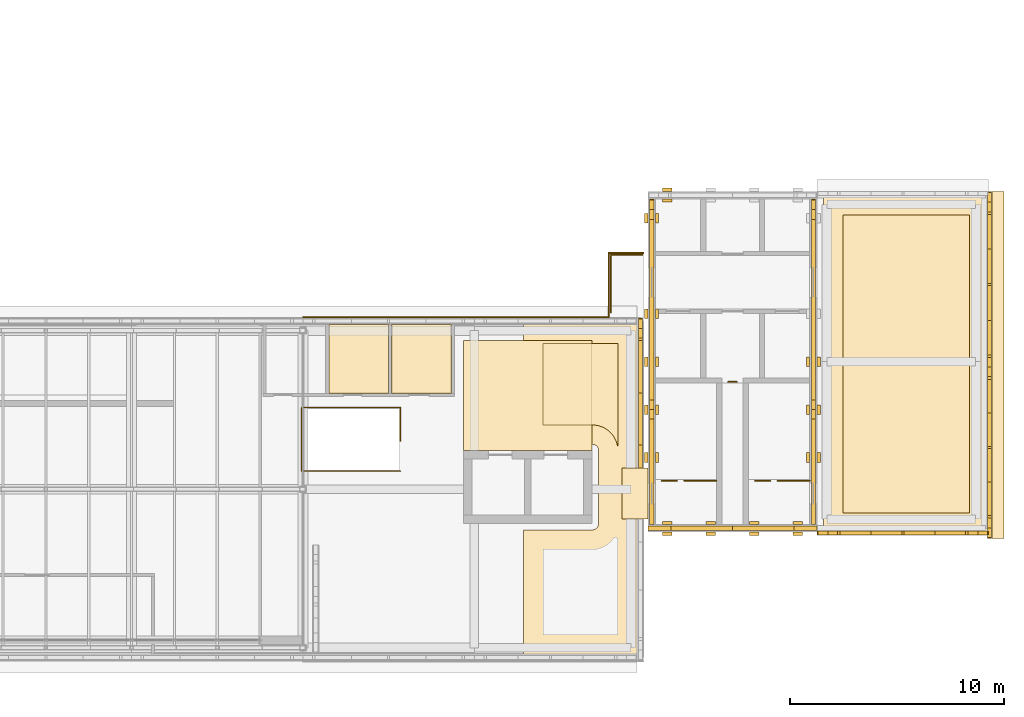
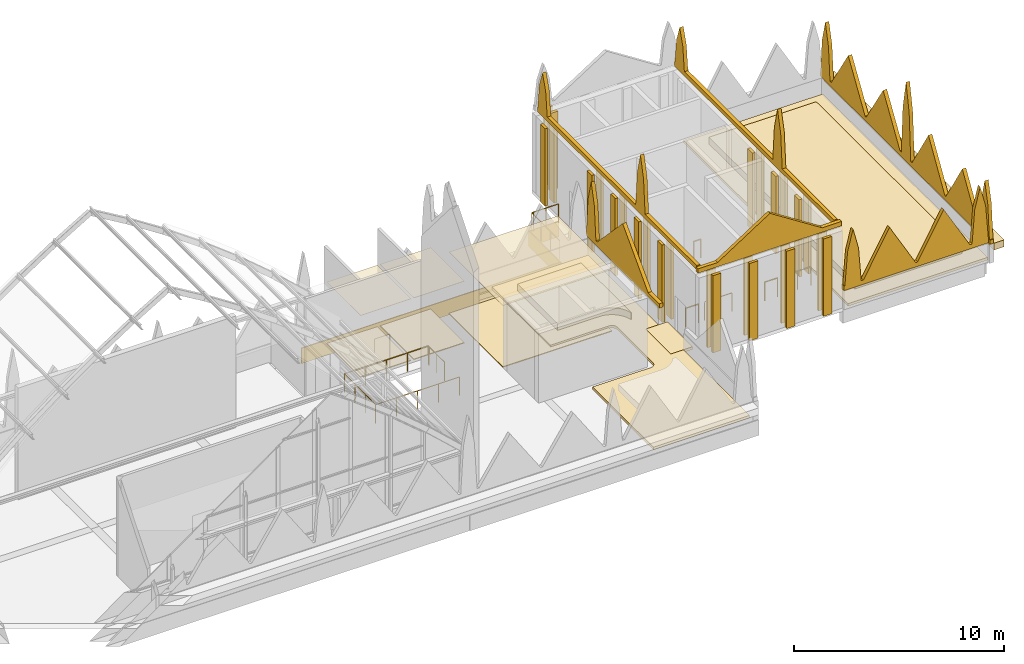
# One storey, part 17 of 18: 47 coverings, 8 railings.
"""IFC4 building model written with IfcOpenShell, lengths in metres."""

from ifc_helpers import new_model, si_unit, direction, frame, frame_2d, origin, origin_2d, place, context, subcontext, project, spatial, polyline, rectangle, circle, outline, extrude, material, layer, layer_set, type_object, element, save


model = new_model("IFC4")

# Units and contexts
model_context = context("Model", 3, precision=1e-05, world=origin(), true_north=direction((0.0, 1.0)))
body_context = subcontext(model_context, "Body", "Model", "MODEL_VIEW")
ifc_project = project(units=[si_unit("LENGTHUNIT", "METRE"), si_unit("AREAUNIT", "SQUARE_METRE"), si_unit("VOLUMEUNIT", "CUBIC_METRE"), si_unit("PLANEANGLEUNIT", "RADIAN"), si_unit("MASSUNIT", "GRAM", prefix="KILO")], contexts=[model_context])

# Site, building, storey
site_placement = place(None, origin())
site = spatial("IfcSite", under=ifc_project, at=site_placement, CompositionType="ELEMENT")
building_placement = place(site_placement, origin())
building = spatial("IfcBuilding", under=site, at=building_placement, Name="Lantern Court Media Centre", CompositionType="ELEMENT")
storey_placement = place(building_placement, frame((0.0, 0.0, 33.60009765625)))
storey = spatial("IfcBuildingStorey", under=building, at=storey_placement, Name="R00", CompositionType="ELEMENT", Elevation=33.60009765625)

# Coverings
ifc_material_1 = material(Name="Ceramic tile")
ifc_layer_1 = layer(ifc_material_1, 0.050048828125)
ifc_layer_set_1 = layer_set([ifc_layer_1], Name="Ceramic tile")
covering_type_1 = type_object("IfcCoveringType", Name="Ceramic tile floor finish", PredefinedType="FLOORING", material=ifc_layer_set_1)
covering_1_placement = place(storey_placement, origin())
element("IfcCovering", 1, at=covering_1_placement, inside=storey, type_object=covering_type_1, Name="WC Female floor finish", PredefinedType="FLOORING", context=body_context, shape_type="SweptSolid", body=[
    extrude(outline(polyline([(67.987060546875, 54.47998046875), (65.212890625, 54.47998046875), (65.212890625, 57.695068359375), (67.987060546875, 57.695068359375), (67.987060546875, 54.47998046875)])), origin(), (0.0, 0.0, 1.0), 0.0498046875),
])
covering_2_placement = place(storey_placement, origin())
element("IfcCovering", 2, at=covering_2_placement, inside=storey, type_object=covering_type_1, Name="Accessible WC floor finish", PredefinedType="FLOORING", context=body_context, shape_type="SweptSolid", body=[
    extrude(outline(polyline([(68.14697265625, 54.47998046875), (68.14697265625, 57.695068359375), (70.919921875, 57.695068359375), (70.919921875, 54.47998046875), (68.14697265625, 54.47998046875)])), origin(), (0.0, 0.0, 1.0), 0.0498046875),
])

# Railings
ifc_material_2 = material(Name="Powder-coated steel", Category="steel")
railing_type_1 = type_object("IfcRailingType", Name="Floor edge guard 1100", PredefinedType="GUARDRAIL", material=ifc_material_2)
for number, where, name in (
    (3, (85.8037109375, 50.390380859375, 0.0), "R00 opening guard 171"),
    (4, (81.45361328125, 50.390380859375, 0.0), "R00 opening guard 172"),
):
    element("IfcRailing", number, at=place(storey_placement, frame(where)), inside=storey, type_object=railing_type_1, Name=name, PredefinedType="GUARDRAIL", context=body_context, shape_type="SweptSolid", body=[
        extrude(circle(Radius=0.02392578125, at=origin_2d()), frame((0.0, 0.0, 1.076171875), z_axis=(-1.0, 0.0, 0.0), x_axis=(0.0, -1.0, 0.0)), (0.0, 0.0, 1.0), 0.70361328125),
        extrude(circle(Radius=0.02099609375, at=origin_2d()), origin(), (0.0, 0.0, 1.0), 1.052001953125),
        extrude(circle(Radius=0.02099609375, at=origin_2d()), frame((-0.70361328125, 0.0, 0.0)), (0.0, 0.0, 1.0), 1.052001953125),
    ])
railing_1_placement = place(storey_placement, frame((83.85009765625, 55.010009765625, 0.0)))
element("IfcRailing", 5, at=railing_1_placement, inside=storey, type_object=railing_type_1, Name="R00 opening guard 173", PredefinedType="GUARDRAIL", context=body_context, shape_type="SweptSolid", body=[
    extrude(circle(Radius=0.02392578125, at=origin_2d()), frame((0.0, 0.0, 1.076171875), z_axis=(1.0, 0.0, 0.0), x_axis=(0.0, 1.0, 0.0)), (0.0, 0.0, 1.0), 0.39990234375),
    extrude(circle(Radius=0.02099609375, at=origin_2d()), origin(), (0.0, 0.0, 1.0), 1.052001953125),
    extrude(circle(Radius=0.02099609375, at=origin_2d()), frame((0.39990234375, 0.0, 0.0)), (0.0, 0.0, 1.0), 1.052001953125),
])
railing_2_placement = place(storey_placement, frame((78.360107421875, 58.258056640625, 0.0)))
element("IfcRailing", 6, at=railing_2_placement, inside=storey, type_object=railing_type_1, Name="R00 edge guard 247", PredefinedType="GUARDRAIL", context=body_context, shape_type="SweptSolid", body=[
    extrude(circle(Radius=0.02392578125, at=origin_2d()), frame((0.0, 0.0, 1.076171875), z_axis=(0.0, 1.0, 0.0), x_axis=(-1.0, 0.0, 0.0)), (0.0, 0.0, 1.0), 2.675048828125),
    extrude(circle(Radius=0.02392578125, at=origin_2d()), frame((0.0, 2.675048828125, 1.076171875), z_axis=(0.997296323024, 0.073484992223, 0.0), x_axis=(-0.073484992223, 0.997296323024, 0.0)), (0.0, 0.0, 1.0), 0.093017578125),
    extrude(circle(Radius=0.02392578125, at=origin_2d()), frame((0.0927734375, 2.681884765625, 1.076171875), z_axis=(1.0, 0.0, 0.0), x_axis=(0.0, 1.0, 0.0)), (0.0, 0.0, 1.0), 1.38720703125),
    extrude(circle(Radius=0.02099609375, at=origin_2d()), origin(), (0.0, 0.0, 1.0), 1.052001953125),
    extrude(circle(Radius=0.02099609375, at=origin_2d()), frame((0.0, 0.8916015625, 0.0)), (0.0, 0.0, 1.0), 1.052001953125),
    extrude(circle(Radius=0.02099609375, at=origin_2d()), frame((0.0, 1.783447265625, 0.0)), (0.0, 0.0, 1.0), 1.052001953125),
    extrude(circle(Radius=0.02099609375, at=origin_2d()), frame((0.0, 2.675048828125, 0.0)), (0.0, 0.0, 1.0), 1.052001953125),
    extrude(circle(Radius=0.02099609375, at=origin_2d()), frame((0.0927734375, 2.681884765625, 0.0)), (0.0, 0.0, 1.0), 1.052001953125),
    extrude(circle(Radius=0.02099609375, at=origin_2d()), frame((0.786376953125, 2.681884765625, 0.0)), (0.0, 0.0, 1.0), 1.052001953125),
    extrude(circle(Radius=0.02099609375, at=origin_2d()), frame((1.47998046875, 2.681884765625, 0.0)), (0.0, 0.0, 1.0), 1.052001953125),
])

# Coverings
ifc_material_3 = material(Name="White glass-fibre reinforced cement cladding", Category="concrete")
ifc_layer_2 = layer(ifc_material_3, 0.050048828125)
ifc_layer_set_2 = layer_set([ifc_layer_2], Name="White glass-fibre reinforced cement cladding")
covering_type_2 = type_object("IfcCoveringType", Name="Floor-edge band 50", PredefinedType="CLADDING", material=ifc_layer_set_2)
covering_3_placement = place(storey_placement, frame((64.0, 58.02490234375, -0.900146484375), z_axis=(0.0, 0.0, 1.0), x_axis=(1.0, 0.0, 0.0)))
element("IfcCovering", 7, at=covering_3_placement, inside=storey, type_object=covering_type_2, Name="Floor-edge band S inner roof", PredefinedType="CLADDING", context=body_context, shape_type="SweptSolid", body=[
    extrude(rectangle(XDim=14.25, YDim=0.050048828125, at=frame_2d((7.125, 0.0))), origin(), (0.0, 0.0, 1.0), 0.900146484375),
])
covering_4_placement = place(storey_placement, frame((78.300048828125, 61.02490234375, -0.900146484375), z_axis=(0.0, 0.0, 1.0), x_axis=(1.0, 0.0, 0.0)))
element("IfcCovering", 8, at=covering_4_placement, inside=storey, type_object=covering_type_2, Name="Floor-edge band S inner roof", PredefinedType="CLADDING", context=body_context, shape_type="SweptSolid", body=[
    extrude(rectangle(XDim=1.599853515625, YDim=0.050048828125, at=frame_2d((0.7998046875, 0.0))), origin(), (0.0, 0.0, 1.0), 0.900146484375),
])
covering_5_placement = place(storey_placement, frame((78.27490234375, 58.0, -0.900146484375), z_axis=(0.0, 0.0, 1.0), x_axis=(0.0, 1.0, 0.0)))
element("IfcCovering", 9, at=covering_5_placement, inside=storey, type_object=covering_type_2, Name="Floor-edge band S inner roof", PredefinedType="CLADDING", context=body_context, shape_type="SweptSolid", body=[
    extrude(rectangle(XDim=3.050048828125, YDim=0.050048828125, at=frame_2d((1.52490234375, 0.0))), origin(), (0.0, 0.0, 1.0), 0.900146484375),
])
ifc_material_4 = material(Name="Honed limestone cladding on blockwork", Category="masonry")
ifc_layer_3 = layer(ifc_material_4, 0.550048828125)
ifc_layer_set_3 = layer_set([ifc_layer_3], Name="Honed limestone cladding on blockwork")
covering_type_3 = type_object("IfcCoveringType", Name="Limestone cornice 550", PredefinedType="CLADDING", material=ifc_layer_set_3)
covering_6_placement = place(storey_placement, frame((96.445068359375, 47.699951171875, 0.699951171875), z_axis=(0.0, 0.0, 1.0), x_axis=(0.0, 1.0, 0.0)))
element("IfcCovering", 10, at=covering_6_placement, inside=storey, type_object=covering_type_3, Name="Attic cornice", PredefinedType="CLADDING", context=body_context, shape_type="SweptSolid", body=[
    extrude(rectangle(XDim=16.199951171875, YDim=0.550048828125, at=frame_2d((8.10009765625, 0.0))), origin(), (0.0, 0.0, 1.0), 0.39990234375),
])
ifc_layer_4 = layer(ifc_material_4, 0.199951171875)
ifc_layer_set_4 = layer_set([ifc_layer_4], Name="Honed limestone cladding on blockwork")
covering_type_4 = type_object("IfcCoveringType", Name="Limestone cresting 200", PredefinedType="CLADDING", material=ifc_layer_set_4)
covering_7_placement = place(storey_placement, frame((96.044921875, 47.699951171875, 1.099853515625), z_axis=(0.0, 0.0, 1.0), x_axis=(0.0, 1.0, 0.0)))
element("IfcCovering", 11, at=covering_7_placement, inside=storey, type_object=covering_type_4, Name="Parapet cresting", PredefinedType="CLADDING", context=body_context, shape_type="SweptSolid", body=[
    extrude(outline(polyline([(0.0, 0.0), (16.199951171875, 0.0), (16.199951171875, 0.25), (16.14990234375, 0.25), (16.0, 2.2099609375), (15.699951171875, 3.400146484375), (15.39990234375, 2.2099609375), (15.25, 0.25), (15.1298828125, 0.25), (13.514892578125, 2.800048828125), (11.89990234375, 0.25), (11.800048828125, 0.25), (10.18505859375, 2.800048828125), (8.570068359375, 0.25), (8.449951171875, 0.25), (8.300048828125, 2.983642578125), (8.0, 4.590087890625), (7.699951171875, 2.983642578125), (7.550048828125, 0.25), (7.429931640625, 0.25), (5.864990234375, 2.800048828125), (4.300048828125, 0.25), (4.199951171875, 0.25), (2.635009765625, 2.800048828125), (1.070068359375, 0.25), (0.949951171875, 0.25), (0.800048828125, 2.2099609375), (0.5, 3.400146484375), (0.199951171875, 2.2099609375), (0.050048828125, 0.25), (0.0, 0.25), (0.0, 0.0)])), frame((0.0, 0.10009765625, 0.0), z_axis=(0.0, -1.0, 0.0), x_axis=(1.0, 0.0, 0.0)), (0.0, 0.0, 1.0), 0.199951171875),
])
covering_8_placement = place(storey_placement, frame((88.0, 47.955078125, 1.099853515625), z_axis=(0.0, 0.0, 1.0), x_axis=(1.0, 0.0, 0.0)))
element("IfcCovering", 12, at=covering_8_placement, inside=storey, type_object=covering_type_4, Name="Parapet cresting", PredefinedType="CLADDING", context=body_context, shape_type="SweptSolid", body=[
    extrude(outline(polyline([(0.0, 0.0), (8.0, 0.0), (8.0, 0.25), (7.949951171875, 0.25), (7.800048828125, 2.2099609375), (7.5, 3.400146484375), (7.199951171875, 2.2099609375), (7.050048828125, 0.25), (6.929931640625, 0.25), (5.489990234375, 2.800048828125), (4.050048828125, 0.25), (3.949951171875, 0.25), (2.510009765625, 2.800048828125), (1.070068359375, 0.25), (0.949951171875, 0.25), (0.800048828125, 2.2099609375), (0.5, 3.400146484375), (0.199951171875, 2.2099609375), (0.050048828125, 0.25), (0.0, 0.25), (0.0, 0.0)])), frame((0.0, 0.10009765625, 0.0), z_axis=(0.0, -1.0, 0.0), x_axis=(1.0, 0.0, 0.0)), (0.0, 0.0, 1.0), 0.199951171875),
])
covering_9_placement = place(storey_placement, frame((79.75, 51.0, 1.099853515625), z_axis=(0.0, 0.0, 1.0), x_axis=(0.0, 1.0, 0.0)))
element("IfcCovering", 13, at=covering_9_placement, inside=storey, type_object=covering_type_4, Name="Parapet cresting", PredefinedType="CLADDING", context=body_context, shape_type="SweptSolid", body=[
    extrude(outline(polyline([(0.0, 0.0), (7.0, 0.0), (7.0, 0.25), (6.949951171875, 0.25), (6.800048828125, 2.2099609375), (6.5, 3.400146484375), (6.199951171875, 2.2099609375), (6.050048828125, 0.25), (5.929931640625, 0.25), (3.5, 2.800048828125), (1.070068359375, 0.25), (0.0, 0.25), (0.0, 0.0)])), frame((0.0, 0.10009765625, 0.0), z_axis=(0.0, -1.0, 0.0), x_axis=(1.0, 0.0, 0.0)), (0.0, 0.0, 1.0), 0.199951171875),
])
covering_10_placement = place(storey_placement, frame((88.0, 48.175048828125, 4.75), z_axis=(0.0, 0.0, 1.0), x_axis=(-1.0, 0.0, 0.0)))
element("IfcCovering", 14, at=covering_10_placement, inside=storey, type_object=covering_type_4, Name="Roof box cresting", PredefinedType="CLADDING", context=body_context, shape_type="SweptSolid", body=[
    extrude(outline(polyline([(0.0, 0.0), (7.89990234375, 0.0), (7.89990234375, 0.25), (6.830078125, 0.25), (3.949951171875, 2.099853515625), (1.070068359375, 0.25), (0.0, 0.25), (0.0, 0.0)])), frame((0.0, 0.10009765625, 0.0), z_axis=(0.0, -1.0, 0.0), x_axis=(1.0, 0.0, 0.0)), (0.0, 0.0, 1.0), 0.199951171875),
])
for number, where, z_axis, x_axis, name in (
    (15, (87.824951171875, 48.35009765625, 4.75), (0.0, 0.0, 1.0), (0.0, 1.0, 0.0), "Roof box cresting"),
    (16, (80.27490234375, 48.35009765625, 4.75), (0.0, 0.0, 1.0), (0.0, 1.0, 0.0), "Roof box cresting"),
):
    element("IfcCovering", number, at=place(storey_placement, frame(where, z_axis=z_axis, x_axis=x_axis)), inside=storey, type_object=covering_type_4, Name=name, PredefinedType="CLADDING", context=body_context, shape_type="SweptSolid", body=[
        extrude(outline(polyline([(0.0, 0.0), (15.199951171875, 0.0), (15.199951171875, 0.25), (15.14990234375, 0.25), (15.0, 1.657470703125), (14.699951171875, 2.5498046875), (14.39990234375, 1.657470703125), (14.25, 0.25), (5.816650390625, 0.25), (5.666748046875, 2.237548828125), (5.36669921875, 3.4423828125), (5.066650390625, 2.237548828125), (4.916748046875, 0.25), (0.0, 0.25), (0.0, 0.0)])), frame((0.0, 0.10009765625, 0.0), z_axis=(0.0, -1.0, 0.0), x_axis=(1.0, 0.0, 0.0)), (0.0, 0.0, 1.0), 0.199951171875),
    ])
ifc_material_5 = material(Name="Honed limestone cladding", Category="masonry")
ifc_layer_5 = layer(ifc_material_5, 0.14990234375)
ifc_layer_set_5 = layer_set([ifc_layer_5], Name="Honed limestone cladding")
covering_type_5 = type_object("IfcCoveringType", Name="Limestone pilaster cladding 150", PredefinedType="CLADDING", material=ifc_layer_set_5)
covering_11_placement = place(storey_placement, frame((87.324951171875, 47.925048828125, 0.0), z_axis=(0.0, 0.0, 1.0), x_axis=(-1.0, 0.0, 0.0)))
element("IfcCovering", 17, at=covering_11_placement, inside=storey, type_object=covering_type_5, Name="Limestone pilaster rib", PredefinedType="CLADDING", context=body_context, shape_type="SweptSolid", body=[
    extrude(rectangle(XDim=0.449951171875, YDim=0.14990234375, at=frame_2d((0.22509765625, 0.0))), origin(), (0.0, 0.0, 1.0), 4.5),
])
covering_12_placement = place(storey_placement, frame((85.291748046875, 47.925048828125, 0.0), z_axis=(0.0, 0.0, 1.0), x_axis=(-1.0, 0.0, 0.0)))
element("IfcCovering", 18, at=covering_12_placement, inside=storey, type_object=covering_type_5, Name="Limestone pilaster rib", PredefinedType="CLADDING", context=body_context, shape_type="SweptSolid", body=[
    extrude(rectangle(XDim=0.4501953125, YDim=0.14990234375, at=frame_2d((0.22509765625, 0.0))), origin(), (0.0, 0.0, 1.0), 4.5),
])
covering_13_placement = place(storey_placement, frame((83.25830078125, 47.925048828125, 0.0), z_axis=(0.0, 0.0, 1.0), x_axis=(-1.0, 0.0, 0.0)))
element("IfcCovering", 19, at=covering_13_placement, inside=storey, type_object=covering_type_5, Name="Limestone pilaster rib", PredefinedType="CLADDING", context=body_context, shape_type="SweptSolid", body=[
    extrude(rectangle(XDim=0.449951171875, YDim=0.14990234375, at=frame_2d((0.22509765625, 0.0))), origin(), (0.0, 0.0, 1.0), 4.5),
])
covering_14_placement = place(storey_placement, frame((81.22509765625, 47.925048828125, 0.0), z_axis=(0.0, 0.0, 1.0), x_axis=(-1.0, 0.0, 0.0)))
element("IfcCovering", 20, at=covering_14_placement, inside=storey, type_object=covering_type_5, Name="Limestone pilaster rib", PredefinedType="CLADDING", context=body_context, shape_type="SweptSolid", body=[
    extrude(rectangle(XDim=0.4501953125, YDim=0.14990234375, at=frame_2d((0.22509765625, 0.0))), origin(), (0.0, 0.0, 1.0), 4.5),
])
covering_15_placement = place(storey_placement, frame((87.324951171875, 48.425048828125, 0.0), z_axis=(0.0, 0.0, 1.0), x_axis=(-1.0, 0.0, 0.0)))
element("IfcCovering", 21, at=covering_15_placement, inside=storey, type_object=covering_type_5, Name="Limestone pilaster rib", PredefinedType="CLADDING", context=body_context, shape_type="SweptSolid", body=[
    extrude(rectangle(XDim=0.449951171875, YDim=0.14990234375, at=frame_2d((0.22509765625, 0.0))), origin(), (0.0, 0.0, 1.0), 4.5),
])
covering_16_placement = place(storey_placement, frame((85.291748046875, 48.425048828125, 0.0), z_axis=(0.0, 0.0, 1.0), x_axis=(-1.0, 0.0, 0.0)))
element("IfcCovering", 22, at=covering_16_placement, inside=storey, type_object=covering_type_5, Name="Limestone pilaster rib", PredefinedType="CLADDING", context=body_context, shape_type="SweptSolid", body=[
    extrude(rectangle(XDim=0.4501953125, YDim=0.14990234375, at=frame_2d((0.22509765625, 0.0))), origin(), (0.0, 0.0, 1.0), 4.5),
])
covering_17_placement = place(storey_placement, frame((83.25830078125, 48.425048828125, 0.0), z_axis=(0.0, 0.0, 1.0), x_axis=(-1.0, 0.0, 0.0)))
element("IfcCovering", 23, at=covering_17_placement, inside=storey, type_object=covering_type_5, Name="Limestone pilaster rib", PredefinedType="CLADDING", context=body_context, shape_type="SweptSolid", body=[
    extrude(rectangle(XDim=0.449951171875, YDim=0.14990234375, at=frame_2d((0.22509765625, 0.0))), origin(), (0.0, 0.0, 1.0), 4.5),
])
covering_18_placement = place(storey_placement, frame((81.22509765625, 48.425048828125, 0.0), z_axis=(0.0, 0.0, 1.0), x_axis=(-1.0, 0.0, 0.0)))
element("IfcCovering", 24, at=covering_18_placement, inside=storey, type_object=covering_type_5, Name="Limestone pilaster rib", PredefinedType="CLADDING", context=body_context, shape_type="SweptSolid", body=[
    extrude(rectangle(XDim=0.4501953125, YDim=0.14990234375, at=frame_2d((0.22509765625, 0.0))), origin(), (0.0, 0.0, 1.0), 4.5),
])
for number, where, z_axis, x_axis, name in (
    (25, (87.574951171875, 51.25830078125, 0.0), (0.0, 0.0, 1.0), (0.0, 1.0, 0.0), "Limestone pilaster rib"),
    (26, (87.574951171875, 53.49169921875, 0.0), (0.0, 0.0, 1.0), (0.0, 1.0, 0.0), "Limestone pilaster rib"),
    (27, (87.574951171875, 55.72509765625, 0.0), (0.0, 0.0, 1.0), (0.0, 1.0, 0.0), "Limestone pilaster rib"),
    (28, (88.074951171875, 51.25830078125, 0.0), (0.0, 0.0, 1.0), (0.0, 1.0, 0.0), "Limestone pilaster rib"),
    (29, (88.074951171875, 53.49169921875, 0.0), (0.0, 0.0, 1.0), (0.0, 1.0, 0.0), "Limestone pilaster rib"),
    (30, (88.074951171875, 55.72509765625, 0.0), (0.0, 0.0, 1.0), (0.0, 1.0, 0.0), "Limestone pilaster rib"),
    (31, (80.02490234375, 51.25830078125, 0.0), (0.0, 0.0, 1.0), (0.0, 1.0, 0.0), "Limestone pilaster rib"),
    (32, (80.02490234375, 53.49169921875, 0.0), (0.0, 0.0, 1.0), (0.0, 1.0, 0.0), "Limestone pilaster rib"),
    (33, (80.02490234375, 55.72509765625, 0.0), (0.0, 0.0, 1.0), (0.0, 1.0, 0.0), "Limestone pilaster rib"),
):
    element("IfcCovering", number, at=place(storey_placement, frame(where, z_axis=z_axis, x_axis=x_axis)), inside=storey, type_object=covering_type_5, Name=name, PredefinedType="CLADDING", context=body_context, shape_type="SweptSolid", body=[
        extrude(rectangle(XDim=0.449951171875, YDim=0.14990234375, at=frame_2d((0.22509765625, 0.0))), origin(), (0.0, 0.0, 1.0), 4.5),
    ])
covering_19_placement = place(storey_placement, frame((80.02490234375, 57.958251953125, 0.0), z_axis=(0.0, 0.0, 1.0), x_axis=(0.0, 1.0, 0.0)))
element("IfcCovering", 34, at=covering_19_placement, inside=storey, type_object=covering_type_5, Name="Limestone pilaster rib", PredefinedType="CLADDING", context=body_context, shape_type="SweptSolid", body=[
    extrude(rectangle(XDim=0.4501953125, YDim=0.14990234375, at=frame_2d((0.22509765625, 0.0))), origin(), (0.0, 0.0, 1.0), 4.5),
])
for number, where, z_axis, x_axis, name in (
    (35, (80.02490234375, 62.425048828125, 0.0), (0.0, 0.0, 1.0), (0.0, 1.0, 0.0), "Limestone pilaster rib"),
    (36, (80.52490234375, 51.25830078125, 0.0), (0.0, 0.0, 1.0), (0.0, 1.0, 0.0), "Limestone pilaster rib"),
    (37, (80.52490234375, 53.49169921875, 0.0), (0.0, 0.0, 1.0), (0.0, 1.0, 0.0), "Limestone pilaster rib"),
    (38, (80.52490234375, 55.72509765625, 0.0), (0.0, 0.0, 1.0), (0.0, 1.0, 0.0), "Limestone pilaster rib"),
):
    element("IfcCovering", number, at=place(storey_placement, frame(where, z_axis=z_axis, x_axis=x_axis)), inside=storey, type_object=covering_type_5, Name=name, PredefinedType="CLADDING", context=body_context, shape_type="SweptSolid", body=[
        extrude(rectangle(XDim=0.449951171875, YDim=0.14990234375, at=frame_2d((0.22509765625, 0.0))), origin(), (0.0, 0.0, 1.0), 4.5),
    ])
covering_20_placement = place(storey_placement, frame((80.52490234375, 57.958251953125, 0.0), z_axis=(0.0, 0.0, 1.0), x_axis=(0.0, 1.0, 0.0)))
element("IfcCovering", 39, at=covering_20_placement, inside=storey, type_object=covering_type_5, Name="Limestone pilaster rib", PredefinedType="CLADDING", context=body_context, shape_type="SweptSolid", body=[
    extrude(rectangle(XDim=0.4501953125, YDim=0.14990234375, at=frame_2d((0.22509765625, 0.0))), origin(), (0.0, 0.0, 1.0), 4.5),
])
covering_21_placement = place(storey_placement, frame((80.52490234375, 62.425048828125, 0.0), z_axis=(0.0, 0.0, 1.0), x_axis=(0.0, 1.0, 0.0)))
element("IfcCovering", 40, at=covering_21_placement, inside=storey, type_object=covering_type_5, Name="Limestone pilaster rib", PredefinedType="CLADDING", context=body_context, shape_type="SweptSolid", body=[
    extrude(rectangle(XDim=0.449951171875, YDim=0.14990234375, at=frame_2d((0.22509765625, 0.0))), origin(), (0.0, 0.0, 1.0), 4.5),
])
for number, where, z_axis, x_axis, name in (
    (41, (81.22509765625, 63.47509765625, 0.0), (0.0, 0.0, 1.0), (-1.0, 0.0, 0.0), "Limestone pilaster rib"),
    (42, (81.22509765625, 63.97509765625, 0.0), (0.0, 0.0, 1.0), (-1.0, 0.0, 0.0), "Limestone pilaster rib"),
):
    element("IfcCovering", number, at=place(storey_placement, frame(where, z_axis=z_axis, x_axis=x_axis)), inside=storey, type_object=covering_type_5, Name=name, PredefinedType="CLADDING", context=body_context, shape_type="SweptSolid", body=[
        extrude(rectangle(XDim=0.4501953125, YDim=0.14990234375, at=frame_2d((0.22509765625, 0.0))), origin(), (0.0, 0.0, 1.0), 4.5),
    ])
ifc_material_6 = material(Name="Planting substrate")
ifc_layer_6 = layer(ifc_material_6, 0.39990234375)
ifc_layer_set_6 = layer_set([ifc_layer_6], Name="Planting substrate")
covering_type_6 = type_object("IfcCoveringType", Name="Planted roof garden build-up 400", PredefinedType="ROOFING", material=ifc_layer_set_6)
covering_22_placement = place(storey_placement, frame((0.0, 0.0, 0.14990234375)))
element("IfcCovering", 43, at=covering_22_placement, inside=storey, type_object=covering_type_6, Name="Planted roof garden S", PredefinedType="ROOFING", context=body_context, shape_type="SweptSolid", body=[
    extrude(outline(polyline([(78.625, 52.218017578125), (78.591064453125, 52.300048828125), (78.577880859375, 52.325927734375), (78.537109375, 52.404052734375), (78.52099609375, 52.428955078125), (78.471923828125, 52.5029296875), (78.455078125, 52.52587890625), (78.39892578125, 52.594970703125), (78.37890625, 52.616943359375), (78.31689453125, 52.678955078125), (78.294921875, 52.698974609375), (78.22607421875, 52.7548828125), (78.202880859375, 52.77197265625), (78.12890625, 52.821044921875), (78.10400390625, 52.8369140625), (78.02587890625, 52.8779296875), (78.0, 52.89111328125), (77.91796875, 52.925048828125), (77.889892578125, 52.93408203125), (77.805908203125, 52.9599609375), (77.777099609375, 52.967041015625), (77.69091796875, 52.98388671875), (77.660888671875, 52.989013671875), (77.573974609375, 52.9970703125), (77.5439453125, 52.9990234375), (77.5, 53.0), (75.199951171875, 53.0), (75.199951171875, 56.800048828125), (78.699951171875, 56.800048828125), (78.699951171875, 52.029052734375), (78.68408203125, 52.027099609375), (78.634033203125, 52.18994140625), (78.625, 52.218017578125)])), origin(), (0.0, 0.0, 1.0), 0.39990234375),
])
covering_23_placement = place(storey_placement, frame((0.0, 0.0, 0.14990234375)))
element("IfcCovering", 44, at=covering_23_placement, inside=storey, type_object=covering_type_6, Name="Planted roof garden SE", PredefinedType="ROOFING", context=body_context, shape_type="SweptSolid", body=[
    extrude(outline(polyline([(89.199951171875, 48.89990234375), (89.199951171875, 62.800048828125), (95.10009765625, 62.800048828125), (95.10009765625, 48.89990234375), (89.199951171875, 48.89990234375)])), origin(), (0.0, 0.0, 1.0), 0.39990234375),
])
ifc_material_7 = material(Name="Limestone paving slab", Category="masonry")
ifc_layer_7 = layer(ifc_material_7, 0.14990234375)
ifc_layer_set_7 = layer_set([ifc_layer_7], Name="Limestone paving slab")
covering_type_7 = type_object("IfcCoveringType", Name="Roof walkway pavers 150", PredefinedType="FLOORING", material=ifc_layer_set_7)
covering_24_placement = place(storey_placement, origin())
element("IfcCovering", 45, at=covering_24_placement, inside=storey, type_object=covering_type_7, Name="Roof walkway S-SE", PredefinedType="FLOORING", context=body_context, shape_type="SweptSolid", body=[
    extrude(outline(polyline([(78.89990234375, 48.60009765625), (78.89990234375, 51.0), (80.10009765625, 51.0), (80.10009765625, 48.60009765625), (78.89990234375, 48.60009765625)])), origin(), (0.0, 0.0, 1.0), 0.14990234375),
])
ifc_material_8 = material(Name="Bituminous waterproofing membrane with insulation")
ifc_layer_8 = layer(ifc_material_8, 0.14990234375)
ifc_layer_set_8 = layer_set([ifc_layer_8], Name="Bituminous waterproofing membrane with insulation")
covering_type_8 = type_object("IfcCoveringType", Name="Roof waterproofing and insulation 150", PredefinedType="ROOFING", material=ifc_layer_set_8)
covering_25_placement = place(storey_placement, origin())
element("IfcCovering", 46, at=covering_25_placement, inside=storey, type_object=covering_type_8, Name="Roof waterproofing S", PredefinedType="ROOFING", context=body_context, shape_type="SweptSolid", body=[
    extrude(outline(polyline([(78.89990234375, 48.60009765625), (79.60009765625, 48.60009765625), (79.60009765625, 42.300048828125), (74.300048828125, 42.300048828125), (74.300048828125, 48.10009765625), (77.5, 48.10009765625), (77.529052734375, 48.10107421875), (77.55908203125, 48.10595703125), (77.5869140625, 48.113037109375), (77.614990234375, 48.123046875), (77.64111328125, 48.135009765625), (77.6669921875, 48.15087890625), (77.68994140625, 48.16796875), (77.7119140625, 48.18798828125), (77.73193359375, 48.2099609375), (77.7490234375, 48.23291015625), (77.764892578125, 48.259033203125), (77.777099609375, 48.284912109375), (77.787109375, 48.31298828125), (77.7939453125, 48.341064453125), (77.799072265625, 48.37109375), (77.800048828125, 48.39990234375), (77.800048828125, 51.800048828125), (77.799072265625, 51.8291015625), (77.7939453125, 51.85888671875), (77.787109375, 51.886962890625), (77.777099609375, 51.9150390625), (77.764892578125, 51.94091796875), (77.7490234375, 51.967041015625), (77.73193359375, 51.989990234375), (77.7119140625, 52.011962890625), (77.68994140625, 52.031982421875), (77.6669921875, 52.049072265625), (77.64111328125, 52.06494140625), (77.614990234375, 52.076904296875), (77.5869140625, 52.0869140625), (77.55908203125, 52.093994140625), (77.529052734375, 52.09912109375), (77.5, 52.10009765625), (74.300048828125, 52.10009765625), (74.300048828125, 57.699951171875), (79.60009765625, 57.699951171875), (79.60009765625, 51.0), (78.89990234375, 51.0), (78.89990234375, 48.60009765625)])), origin(), (0.0, 0.0, 1.0), 0.14990234375),
])
covering_26_placement = place(storey_placement, origin())
element("IfcCovering", 47, at=covering_26_placement, inside=storey, type_object=covering_type_8, Name="Roof waterproofing SE", PredefinedType="ROOFING", context=body_context, shape_type="SweptSolid", body=[
    extrude(outline(polyline([(88.300048828125, 48.0), (88.300048828125, 63.699951171875), (96.0, 63.699951171875), (96.0, 48.0), (88.300048828125, 48.0)])), origin(), (0.0, 0.0, 1.0), 0.14990234375),
])

# Railings
railing_type_2 = type_object("IfcRailingType", Name="Stair guard 1100", PredefinedType="GUARDRAIL", material=ifc_material_2)
for number, where, name in (
    (48, (87.64990234375, 50.39990234375, 0.0), "R00 ST-SEA top well guard 1"),
    (49, (83.300048828125, 50.39990234375, 0.0), "R00 ST-SEB top well guard 1"),
):
    element("IfcRailing", number, at=place(storey_placement, frame(where)), inside=storey, type_object=railing_type_2, Name=name, PredefinedType="GUARDRAIL", context=body_context, shape_type="SweptSolid", body=[
        extrude(circle(Radius=0.02392578125, at=origin_2d()), frame((0.0, 0.0, 1.076171875), z_axis=(-1.0, 0.0, 0.0), x_axis=(0.0, -1.0, 0.0)), (0.0, 0.0, 1.0), 1.5),
        extrude(circle(Radius=0.02099609375, at=origin_2d()), origin(), (0.0, 0.0, 1.0), 1.052001953125),
        extrude(circle(Radius=0.02099609375, at=origin_2d()), frame((-0.75, 0.0, 0.0)), (0.0, 0.0, 1.0), 1.052001953125),
        extrude(circle(Radius=0.02099609375, at=origin_2d()), frame((-1.5, 0.0, 0.0)), (0.0, 0.0, 1.0), 1.052001953125),
    ])
railing_3_placement = place(storey_placement, frame((68.550048828125, 53.75, 0.0)))
element("IfcRailing", 50, at=railing_3_placement, inside=storey, type_object=railing_type_2, Name="R00 ST-V3-ST-E top well guard 1", PredefinedType="GUARDRAIL", context=body_context, shape_type="SweptSolid", body=[
    extrude(circle(Radius=0.02392578125, at=origin_2d()), frame((0.0, 0.0, 1.076171875), z_axis=(0.0, -1.0, 0.0), x_axis=(1.0, 0.0, 0.0)), (0.0, 0.0, 1.0), 1.5),
    extrude(circle(Radius=0.02099609375, at=origin_2d()), origin(), (0.0, 0.0, 1.0), 1.052001953125),
    extrude(circle(Radius=0.02099609375, at=origin_2d()), frame((0.0, -0.75, 0.0)), (0.0, 0.0, 1.0), 1.052001953125),
    extrude(circle(Radius=0.02099609375, at=origin_2d()), frame((0.0, -1.5, 0.0)), (0.0, 0.0, 1.0), 1.052001953125),
])
railing_4_placement = place(storey_placement, frame((68.56005859375, 53.81005859375, 0.0)))
element("IfcRailing", 51, at=railing_4_placement, inside=storey, type_object=railing_type_2, Name="R00 V3-ST-E stair opening guard", PredefinedType="GUARDRAIL", context=body_context, shape_type="SweptSolid", body=[
    extrude(circle(Radius=0.02392578125, at=origin_2d()), frame((0.0, 0.0, 1.076171875), z_axis=(-1.0, 0.0, 0.0), x_axis=(0.0, -1.0, 0.0)), (0.0, 0.0, 1.0), 4.6201171875),
    extrude(circle(Radius=0.02392578125, at=origin_2d()), frame((-4.6201171875, 0.0, 1.076171875), z_axis=(0.0, -1.0, 0.0), x_axis=(1.0, 0.0, 0.0)), (0.0, 0.0, 1.0), 2.969970703125),
    extrude(circle(Radius=0.02392578125, at=origin_2d()), frame((-4.6201171875, -2.969970703125, 1.076171875), z_axis=(1.0, 0.0, 0.0), x_axis=(0.0, 1.0, 0.0)), (0.0, 0.0, 1.0), 4.6201171875),
    extrude(circle(Radius=0.02099609375, at=origin_2d()), origin(), (0.0, 0.0, 1.0), 1.052001953125),
    extrude(circle(Radius=0.02099609375, at=origin_2d()), frame((-1.155029296875, 0.0, 0.0)), (0.0, 0.0, 1.0), 1.052001953125),
    extrude(circle(Radius=0.02099609375, at=origin_2d()), frame((-2.31005859375, 0.0, 0.0)), (0.0, 0.0, 1.0), 1.052001953125),
    extrude(circle(Radius=0.02099609375, at=origin_2d()), frame((-3.465087890625, 0.0, 0.0)), (0.0, 0.0, 1.0), 1.052001953125),
    extrude(circle(Radius=0.02099609375, at=origin_2d()), frame((-4.6201171875, 0.0, 0.0)), (0.0, 0.0, 1.0), 1.052001953125),
    extrude(circle(Radius=0.02099609375, at=origin_2d()), frame((-4.6201171875, -0.989990234375, 0.0)), (0.0, 0.0, 1.0), 1.052001953125),
    extrude(circle(Radius=0.02099609375, at=origin_2d()), frame((-4.6201171875, -1.97998046875, 0.0)), (0.0, 0.0, 1.0), 1.052001953125),
    extrude(circle(Radius=0.02099609375, at=origin_2d()), frame((-4.6201171875, -2.969970703125, 0.0)), (0.0, 0.0, 1.0), 1.052001953125),
    extrude(circle(Radius=0.02099609375, at=origin_2d()), frame((-3.465087890625, -2.969970703125, 0.0)), (0.0, 0.0, 1.0), 1.052001953125),
    extrude(circle(Radius=0.02099609375, at=origin_2d()), frame((-2.31005859375, -2.969970703125, 0.0)), (0.0, 0.0, 1.0), 1.052001953125),
    extrude(circle(Radius=0.02099609375, at=origin_2d()), frame((-1.155029296875, -2.969970703125, 0.0)), (0.0, 0.0, 1.0), 1.052001953125),
    extrude(circle(Radius=0.02099609375, at=origin_2d()), frame((0.0, -2.969970703125, 0.0)), (0.0, 0.0, 1.0), 1.052001953125),
])

# Coverings
ifc_material_9 = material(Name="Mineral fibre ceiling tile")
ifc_layer_9 = layer(ifc_material_9, 0.02001953125)
ifc_layer_set_9 = layer_set([ifc_layer_9], Name="Mineral fibre ceiling tile")
covering_type_9 = type_object("IfcCoveringType", Name="Suspended ceiling tile", PredefinedType="CEILING", material=ifc_layer_set_9)
covering_27_placement = place(storey_placement, frame((0.0, 0.0, 3.599853515625)))
element("IfcCovering", 52, at=covering_27_placement, inside=storey, type_object=covering_type_9, Name="Roof Lift Vestibule ceiling", PredefinedType="CEILING", context=body_context, shape_type="SweptSolid", body=[
    extrude(outline(polyline([(71.5, 56.949951171875), (77.5, 56.949951171875), (77.5, 51.800537109375), (71.5, 51.800537109375), (71.5, 56.949951171875)])), origin(), (0.0, 0.0, 1.0), 0.02001953125),
])
covering_28_placement = place(storey_placement, frame((0.0, 0.0, 3.599853515625)))
element("IfcCovering", 53, at=covering_28_placement, inside=storey, type_object=covering_type_9, Name="WC Female ceiling", PredefinedType="CEILING", context=body_context, shape_type="SweptSolid", body=[
    extrude(outline(polyline([(67.991455078125, 57.699462890625), (67.991455078125, 54.4755859375), (65.20849609375, 54.4755859375), (65.20849609375, 57.699462890625), (67.991455078125, 57.699462890625)])), origin(), (0.0, 0.0, 1.0), 0.02001953125),
])
covering_29_placement = place(storey_placement, frame((0.0, 0.0, 3.599853515625)))
element("IfcCovering", 54, at=covering_29_placement, inside=storey, type_object=covering_type_9, Name="Accessible WC ceiling", PredefinedType="CEILING", context=body_context, shape_type="SweptSolid", body=[
    extrude(outline(polyline([(68.142578125, 57.699462890625), (70.924560546875, 57.699462890625), (70.924560546875, 54.4755859375), (68.142578125, 54.4755859375), (68.142578125, 57.699462890625)])), origin(), (0.0, 0.0, 1.0), 0.02001953125),
])
ifc_material_10 = material(Name="Terrazzo")
ifc_layer_10 = layer(ifc_material_10, 0.050048828125)
ifc_layer_set_10 = layer_set([ifc_layer_10], Name="Terrazzo")
covering_type_10 = type_object("IfcCoveringType", Name="Terrazzo floor finish", PredefinedType="FLOORING", material=ifc_layer_set_10)
covering_30_placement = place(storey_placement, origin())
element("IfcCovering", 55, at=covering_30_placement, inside=storey, type_object=covering_type_10, Name="Roof Lift Vestibule floor finish", PredefinedType="FLOORING", context=body_context, shape_type="SweptSolid", body=[
    extrude(outline(polyline([(71.5, 56.949951171875), (77.5, 56.949951171875), (77.5, 51.804931640625), (71.5, 51.804931640625), (71.5, 56.949951171875)])), origin(), (0.0, 0.0, 1.0), 0.0498046875),
])

save(model, "model.ifc")
